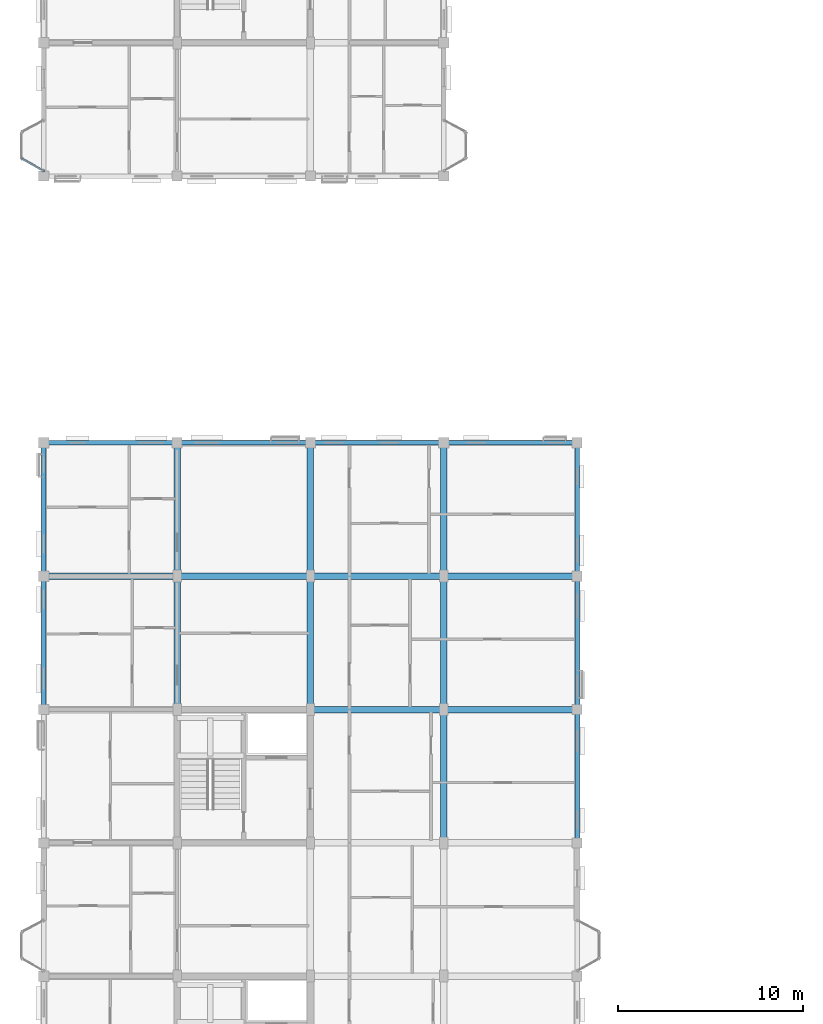
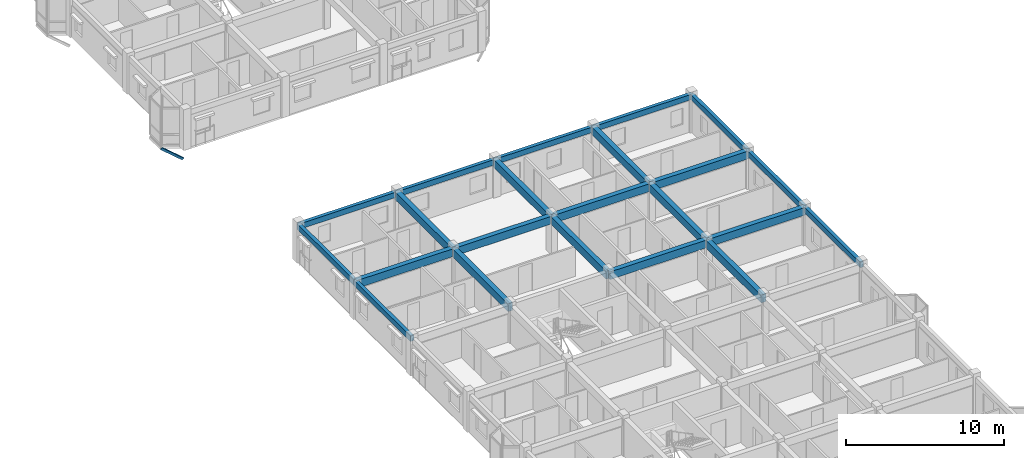
# One storey, part 12 of 75: 22 beams, 1 member.
"""IFC4 building model written with IfcOpenShell, lengths in metres."""

from ifc_helpers import new_model, si_unit, direction, frame, origin, origin_2d, place, context, subcontext, project, spatial, rectangle, hollow_rectangle, extrude, material, material_profile, profile_set, type_object, element, save


model = new_model("IFC4")

# Units and contexts
model_context = context("Model", 3, precision=1e-05, world=origin(), true_north=direction((0.0, 1.0)))
body_context = subcontext(model_context, "Body", "Model", "MODEL_VIEW")
ifc_project = project(units=[si_unit("LENGTHUNIT", "METRE"), si_unit("AREAUNIT", "SQUARE_METRE"), si_unit("VOLUMEUNIT", "CUBIC_METRE"), si_unit("PLANEANGLEUNIT", "RADIAN"), si_unit("MASSUNIT", "GRAM", prefix="KILO"), si_unit("THERMODYNAMICTEMPERATUREUNIT", "KELVIN"), si_unit("POWERUNIT", "WATT")], contexts=[model_context])

# Site, building, storey
site_placement = place(None, origin())
site = spatial("IfcSite", under=ifc_project, at=site_placement, CompositionType="ELEMENT")
building_placement = place(site_placement, origin())
building = spatial("IfcBuilding", under=site, at=building_placement, Name="Tavuni Mirador Residences", CompositionType="ELEMENT")
storey_placement = place(building_placement, frame((0.0, 0.0, 20.25)))
storey = spatial("IfcBuildingStorey", under=building, at=storey_placement, Name="L06", CompositionType="ELEMENT", Elevation=20.25)

# Beams
ifc_material_1 = material(Name="Precast concrete C40/50", Category="concrete")
ifc_material_profile_1 = material_profile(ifc_material_1, rectangle(XDim=0.35009765625, YDim=0.60009765625, at=origin_2d()), Name="PC 350x600", Category="concrete")
ifc_profile_set_1 = profile_set([ifc_material_profile_1], Name="Precast concrete C40/50")
beam_type_1 = type_object("IfcBeamType", Name="BT-B600", PredefinedType="BEAM", material=ifc_profile_set_1)
for number, where, z_axis, x_axis, name in (
    (1, (18.0, 36.0, 2.570068359375), (1.0, 0.0, 0.0), (0.0, 1.0, 0.0), "BMX-BLK-A-L06-02-04"),
    (2, (25.199951171875, 36.0, 2.570068359375), (1.0, 0.0, 0.0), (0.0, 1.0, 0.0), "BMX-BLK-A-L06-03-04"),
    (3, (3.60009765625, 43.199951171875, 2.570068359375), (1.0, 0.0, 0.0), (0.0, 1.0, 0.0), "BMX-BLK-A-L06-00-05"),
    (4, (10.800048828125, 43.199951171875, 2.570068359375), (1.0, 0.0, 0.0), (0.0, 1.0, 0.0), "BMX-BLK-A-L06-01-05"),
    (5, (18.0, 43.199951171875, 2.570068359375), (1.0, 0.0, 0.0), (0.0, 1.0, 0.0), "BMX-BLK-A-L06-02-05"),
    (6, (25.199951171875, 43.199951171875, 2.570068359375), (1.0, 0.0, 0.0), (0.0, 1.0, 0.0), "BMX-BLK-A-L06-03-05"),
    (7, (10.800048828125, 36.0, 2.570068359375), (0.0, 1.0, 0.0), (-1.0, 0.0, 0.0), "BMY-BLK-A-L06-01-04"),
    (8, (10.800048828125, 43.199951171875, 2.570068359375), (0.0, 1.0, 0.0), (-1.0, 0.0, 0.0), "BMY-BLK-A-L06-01-05"),
    (9, (18.0, 36.0, 2.570068359375), (0.0, 1.0, 0.0), (-1.0, 0.0, 0.0), "BMY-BLK-A-L06-02-04"),
    (10, (18.0, 43.199951171875, 2.570068359375), (0.0, 1.0, 0.0), (-1.0, 0.0, 0.0), "BMY-BLK-A-L06-02-05"),
    (11, (25.199951171875, 28.800048828125, 2.570068359375), (0.0, 1.0, 0.0), (-1.0, 0.0, 0.0), "BMY-BLK-A-L06-03-03"),
    (12, (25.199951171875, 36.0, 2.570068359375), (0.0, 1.0, 0.0), (-1.0, 0.0, 0.0), "BMY-BLK-A-L06-03-04"),
    (13, (25.199951171875, 43.199951171875, 2.570068359375), (0.0, 1.0, 0.0), (-1.0, 0.0, 0.0), "BMY-BLK-A-L06-03-05"),
):
    element("IfcBeam", number, at=place(storey_placement, frame(where, z_axis=z_axis, x_axis=x_axis)), inside=storey, type_object=beam_type_1, Name=name, PredefinedType="BEAM", context=body_context, shape_type="SweptSolid", body=[
        extrude(rectangle(XDim=0.35009765625, YDim=0.60009765625, at=origin_2d()), origin(), (0.0, 0.0, 1.0), 7.199951171875),
    ])
ifc_material_profile_2 = material_profile(ifc_material_1, rectangle(XDim=0.25, YDim=0.419921875, at=origin_2d()), Name="PC 250x420", Category="concrete")
ifc_profile_set_2 = profile_set([ifc_material_profile_2], Name="Precast concrete C40/50")
beam_type_2 = type_object("IfcBeamType", Name="BT-SP420", PredefinedType="SPANDREL", material=ifc_profile_set_2)
for number, where, z_axis, x_axis, name in (
    (14, (3.60009765625, 50.39990234375, 2.659912109375), (1.0, 0.0, 0.0), (0.0, 1.0, 0.0), "BMX-BLK-A-L06-00-06"),
    (15, (10.800048828125, 50.39990234375, 2.659912109375), (1.0, 0.0, 0.0), (0.0, 1.0, 0.0), "BMX-BLK-A-L06-01-06"),
    (16, (18.0, 50.39990234375, 2.659912109375), (1.0, 0.0, 0.0), (0.0, 1.0, 0.0), "BMX-BLK-A-L06-02-06"),
    (17, (25.199951171875, 50.39990234375, 2.659912109375), (1.0, 0.0, 0.0), (0.0, 1.0, 0.0), "BMX-BLK-A-L06-03-06"),
    (18, (3.60009765625, 36.0, 2.659912109375), (0.0, 1.0, 0.0), (-1.0, 0.0, 0.0), "BMY-BLK-A-L06-00-04"),
    (19, (3.60009765625, 43.199951171875, 2.659912109375), (0.0, 1.0, 0.0), (-1.0, 0.0, 0.0), "BMY-BLK-A-L06-00-05"),
    (20, (32.39990234375, 28.800048828125, 2.659912109375), (0.0, 1.0, 0.0), (-1.0, 0.0, 0.0), "BMY-BLK-A-L06-04-03"),
    (21, (32.39990234375, 36.0, 2.659912109375), (0.0, 1.0, 0.0), (-1.0, 0.0, 0.0), "BMY-BLK-A-L06-04-04"),
    (22, (32.39990234375, 43.199951171875, 2.659912109375), (0.0, 1.0, 0.0), (-1.0, 0.0, 0.0), "BMY-BLK-A-L06-04-05"),
):
    element("IfcBeam", number, at=place(storey_placement, frame(where, z_axis=z_axis, x_axis=x_axis)), inside=storey, type_object=beam_type_2, Name=name, PredefinedType="SPANDREL", context=body_context, shape_type="SweptSolid", body=[
        extrude(rectangle(XDim=0.25, YDim=0.419921875, at=origin_2d()), origin(), (0.0, 0.0, 1.0), 7.199951171875),
    ])

# Member
ifc_material_2 = material(Name="Structural steel S355", Category="steel")
ifc_material_profile_3 = material_profile(ifc_material_2, hollow_rectangle(XDim=0.10009765625, YDim=0.179931640625, WallThickness=0.008056640625, at=origin_2d()), Name="RHS 180x100x8.0", Category="steel")
ifc_profile_set_3 = profile_set([ifc_material_profile_3], Name="Structural steel S355")
member_type = type_object("IfcMemberType", Name="MT-BR-RHS180", PredefinedType="BRACE", material=ifc_profile_set_3)
member_placement = place(storey_placement, frame((3.60009765625, 65.074951171875, -1.050048828125), z_axis=(-0.749249090491, 0.427663333588, 0.505697412988), x_axis=(-0.495720321961, -0.868482217662, 0.0)))
element("IfcMember", 23, at=member_placement, inside=storey, type_object=member_type, Name="MBRK-MIR-B-W1-L06-1", PredefinedType="BRACE", context=body_context, shape_type="SweptSolid", body=[
    extrude(hollow_rectangle(XDim=0.10009765625, YDim=0.179931640625, WallThickness=0.008056640625, at=origin_2d()), origin(), (0.0, 0.0, 1.0), 1.601806640625),
])

save(model, "model.ifc")
